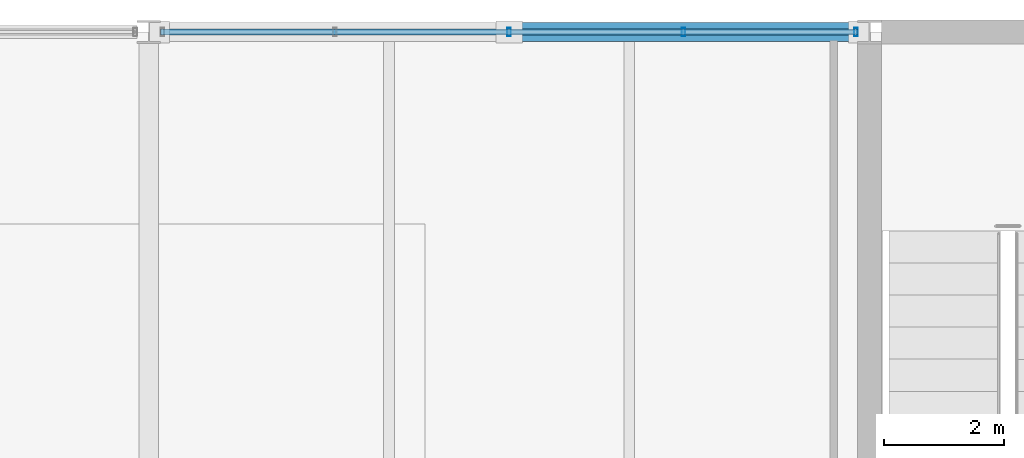
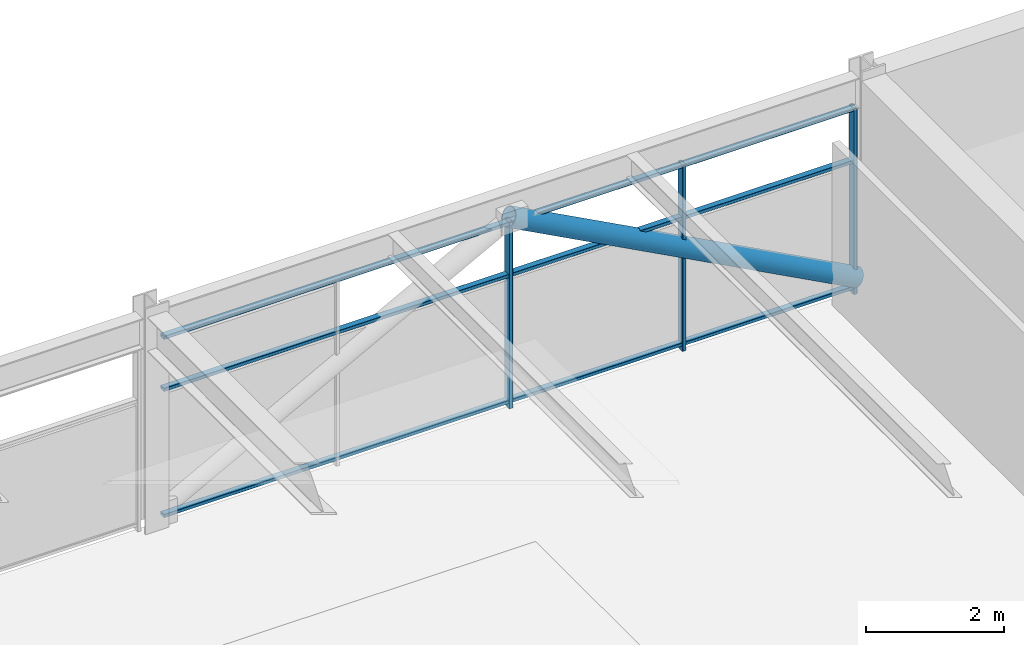
# One storey, part 21 of 52: 7 members, 1 element without a shape of its own.
"""IFC4 building model written with IfcOpenShell, lengths in metres."""

from ifc_helpers import new_model, si_unit, direction, frame, origin, origin_2d, place, context, subcontext, project, spatial, hollow_rectangle, hollow_circle, extrude, material, material_profile, profile_set, type_object, element, aggregate, save


model = new_model("IFC4")

# Units and contexts
model_context = context("Model", 3, precision=1e-05, world=origin(), true_north=direction((0.0, 1.0)))
body_context = subcontext(model_context, "Body", "Model", "MODEL_VIEW")
ifc_project = project(units=[si_unit("LENGTHUNIT", "METRE"), si_unit("AREAUNIT", "SQUARE_METRE"), si_unit("VOLUMEUNIT", "CUBIC_METRE"), si_unit("PLANEANGLEUNIT", "RADIAN"), si_unit("MASSUNIT", "GRAM", prefix="KILO")], contexts=[model_context])

# Site, building, storey
site_placement = place(None, origin())
site = spatial("IfcSite", under=ifc_project, at=site_placement, CompositionType="ELEMENT")
building_placement = place(site_placement, origin())
building = spatial("IfcBuilding", under=site, at=building_placement, Name="Girod Span Mobility Hub", CompositionType="ELEMENT")
storey_placement = place(building_placement, frame((0.0, 0.0, 45.60009765625)))
storey = spatial("IfcBuildingStorey", under=building, at=storey_placement, Name="L11", CompositionType="ELEMENT", Elevation=45.60009765625)

# Curtain wall, members
ifc_material_1 = material(Name="Thermally Broken Anodised Aluminium", Category="aluminium")
curtain_wall_type = type_object("IfcCurtainWallType", Name="CW-1161X330", PredefinedType="USERDEFINED", material=ifc_material_1)
curtain_wall_placement = place(storey_placement, origin())
curtain_wall = element("IfcCurtainWall", 1, at=curtain_wall_placement, inside=storey, type_object=curtain_wall_type, Name="Unitised Curtain Wall CW-L11-N04 L11", ObjectType="UNITISED CURTAIN WALL", PredefinedType="USERDEFINED")
ifc_material_2 = material(Name="Thermally Broken Anodised Aluminium", Category="aluminium")
ifc_material_profile_1 = material_profile(ifc_material_2, hollow_rectangle(XDim=0.139892578125, YDim=0.06005859375, WallThickness=0.00341796875, InnerFilletRadius=0.00341796875, OuterFilletRadius=0.007080078125, at=origin_2d()), Name="CW-ML-60X140")
ifc_profile_set_1 = profile_set([ifc_material_profile_1], Name="Thermally Broken Anodised Aluminium")
member_type_1 = type_object("IfcMemberType", Name="CWM-ML-4", PredefinedType="MULLION", material=ifc_profile_set_1)
member_1_placement = place(storey_placement, frame((41.998779296875, 69.0, 0.0), z_axis=(0.0, 0.0, 1.0), x_axis=(0.0, 1.0, 0.0)))
member_1 = element("IfcMember", 2, at=member_1_placement, type_object=member_type_1, Name="Curtain Wall Mullion CW-L11-N04-M2", PredefinedType="MULLION", context=body_context, shape_type="SweptSolid", body=[
    extrude(hollow_rectangle(XDim=0.139892578125, YDim=0.06005859375, WallThickness=0.00341796875, InnerFilletRadius=0.00341796875, OuterFilletRadius=0.007080078125, at=origin_2d()), origin(), (0.0, 0.0, 1.0), 3.2958984375),
])
member_2_placement = place(storey_placement, frame((44.900634765625, 69.0, 0.0), z_axis=(0.0, 0.0, 1.0), x_axis=(0.0, 1.0, 0.0)))
member_2 = element("IfcMember", 3, at=member_2_placement, type_object=member_type_1, Name="Curtain Wall Mullion CW-L11-N04-M3", PredefinedType="MULLION", context=body_context, shape_type="SweptSolid", body=[
    extrude(hollow_rectangle(XDim=0.139892578125, YDim=0.06005859375, WallThickness=0.00341796875, InnerFilletRadius=0.00341796875, OuterFilletRadius=0.007080078125, at=origin_2d()), origin(), (0.0, 0.0, 1.0), 3.2958984375),
])
member_3_placement = place(storey_placement, frame((47.7705078125, 69.0, 0.0), z_axis=(0.0, 0.0, 1.0), x_axis=(0.0, 1.0, 0.0)))
member_3 = element("IfcMember", 4, at=member_3_placement, type_object=member_type_1, Name="Curtain Wall Mullion CW-L11-N04-M4", PredefinedType="MULLION", context=body_context, shape_type="SweptSolid", body=[
    extrude(hollow_rectangle(XDim=0.139892578125, YDim=0.06005859375, WallThickness=0.00341796875, InnerFilletRadius=0.00341796875, OuterFilletRadius=0.007080078125, at=origin_2d()), origin(), (0.0, 0.0, 1.0), 3.2958984375),
])
ifc_material_3 = material(Name="Thermally Broken Anodised Aluminium", Category="aluminium")
ifc_material_profile_2 = material_profile(ifc_material_3, hollow_rectangle(XDim=0.10498046875, YDim=0.06005859375, WallThickness=0.00341796875, InnerFilletRadius=0.00341796875, OuterFilletRadius=0.007080078125, at=origin_2d()), Name="CW-TR-60X105")
ifc_profile_set_2 = profile_set([ifc_material_profile_2], Name="Thermally Broken Anodised Aluminium")
member_type_2 = type_object("IfcMemberType", Name="CWM-TR-4", PredefinedType="USERDEFINED", material=ifc_profile_set_2)
member_4_placement = place(storey_placement, frame((36.195068359375, 69.0, 0.10986328125), z_axis=(1.0, 0.0, 0.0), x_axis=(0.0, 1.0, 0.0)))
member_4 = element("IfcMember", 5, at=member_4_placement, type_object=member_type_2, Name="Curtain Wall Transom CW-L11-N04-T1", ObjectType="TRANSOM", PredefinedType="USERDEFINED", context=body_context, shape_type="SweptSolid", body=[
    extrude(hollow_rectangle(XDim=0.10498046875, YDim=0.06005859375, WallThickness=0.00341796875, InnerFilletRadius=0.00341796875, OuterFilletRadius=0.007080078125, at=origin_2d()), origin(), (0.0, 0.0, 1.0), 11.607421875),
])
member_5_placement = place(storey_placement, frame((36.195068359375, 69.0, 2.343017578125), z_axis=(1.0, 0.0, 0.0), x_axis=(0.0, 1.0, 0.0)))
member_5 = element("IfcMember", 6, at=member_5_placement, type_object=member_type_2, Name="Curtain Wall Transom CW-L11-N04-T2", ObjectType="TRANSOM", PredefinedType="USERDEFINED", context=body_context, shape_type="SweptSolid", body=[
    extrude(hollow_rectangle(XDim=0.10498046875, YDim=0.06005859375, WallThickness=0.00341796875, InnerFilletRadius=0.00341796875, OuterFilletRadius=0.007080078125, at=origin_2d()), origin(), (0.0, 0.0, 1.0), 11.607421875),
])
member_6_placement = place(storey_placement, frame((36.195068359375, 69.0, 3.265869140625), z_axis=(1.0, 0.0, 0.0), x_axis=(0.0, 1.0, 0.0)))
member_6 = element("IfcMember", 7, at=member_6_placement, type_object=member_type_2, Name="Curtain Wall Transom CW-L11-N04-T3", ObjectType="TRANSOM", PredefinedType="USERDEFINED", context=body_context, shape_type="SweptSolid", body=[
    extrude(hollow_rectangle(XDim=0.10498046875, YDim=0.06005859375, WallThickness=0.00341796875, InnerFilletRadius=0.00341796875, OuterFilletRadius=0.007080078125, at=origin_2d()), origin(), (0.0, 0.0, 1.0), 11.607421875),
])
aggregate(curtain_wall, [member_1, member_2, member_3, member_4, member_5, member_6])

# Member
ifc_material_4 = material(Name="Steel HSS A500 Grade C", Category="steel")
ifc_material_profile_3 = material_profile(ifc_material_4, hollow_circle(Radius=0.162109375, WallThickness=0.01171875, at=origin_2d()), Name="HSS324X12.7")
ifc_profile_set_3 = profile_set([ifc_material_profile_3], Name="Steel HSS A500 Grade C")
member_type_3 = type_object("IfcMemberType", Name="MB-BR-HSS324", PredefinedType="BRACE", material=ifc_profile_set_3)
member_7_placement = place(storey_placement, frame((47.820556640625, 69.0, 0.25), z_axis=(-0.882248433273, 0.0, 0.470784135233), x_axis=(0.0, -1.0, 0.0)))
element("IfcMember", 8, at=member_7_placement, inside=storey, type_object=member_type_3, Name="Upper Diagrid Brace 4/F-R L11", PredefinedType="BRACE", context=body_context, shape_type="SweptSolid", body=[
    extrude(hollow_circle(Radius=0.162109375, WallThickness=0.01171875, at=origin_2d()), origin(), (0.0, 0.0, 1.0), 6.597412109375),
])

save(model, "model.ifc")
